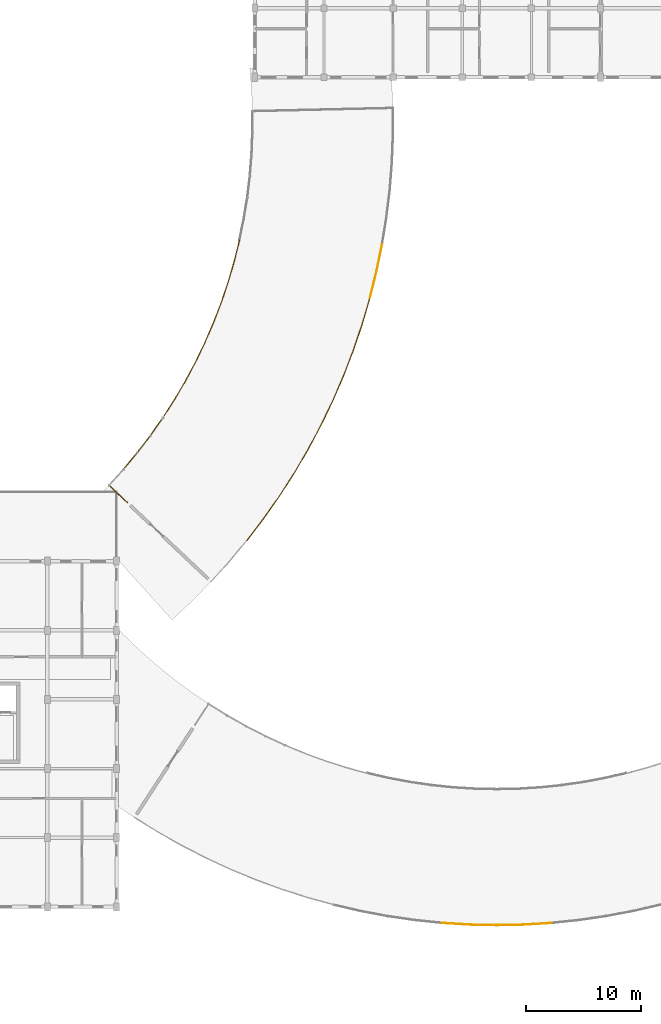
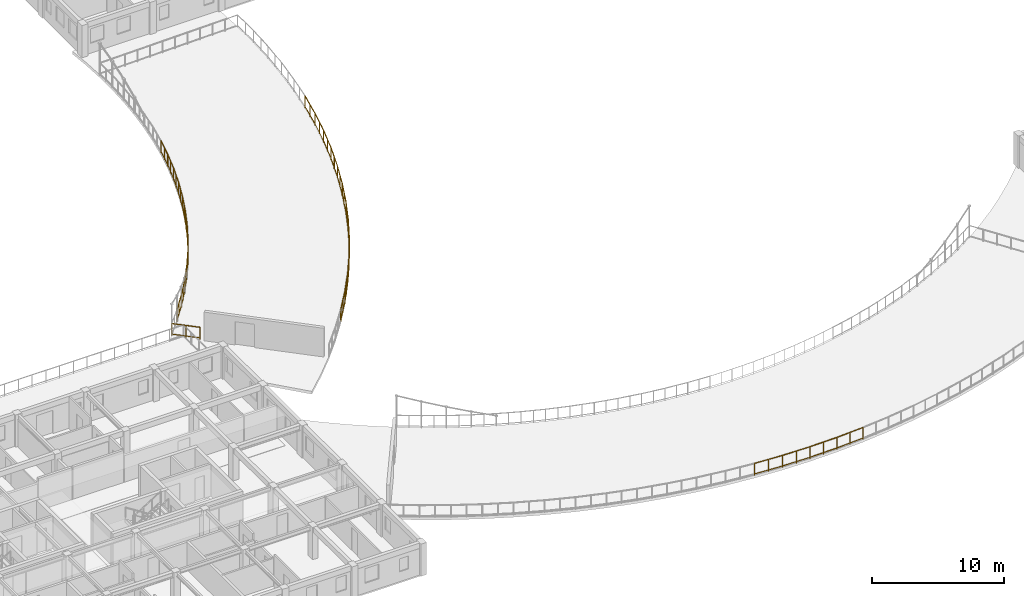
# One storey, part 51 of 58: 29 railings.
"""IFC4 building model written with IfcOpenShell, lengths in metres."""

from ifc_helpers import new_model, si_unit, direction, frame, origin, origin_2d, place, context, subcontext, project, spatial, circle, extrude, material, layer, layer_set, type_object, element, save


model = new_model("IFC4")

# Units and contexts
model_context = context("Model", 3, precision=1e-05, world=origin(), true_north=direction((0.0, 1.0)))
body_context = subcontext(model_context, "Body", "Model", "MODEL_VIEW")
ifc_project = project(units=[si_unit("LENGTHUNIT", "METRE"), si_unit("AREAUNIT", "SQUARE_METRE"), si_unit("VOLUMEUNIT", "CUBIC_METRE"), si_unit("PLANEANGLEUNIT", "RADIAN"), si_unit("MASSUNIT", "GRAM", prefix="KILO"), si_unit("POWERUNIT", "WATT"), si_unit("THERMODYNAMICTEMPERATUREUNIT", "KELVIN")], contexts=[model_context])

# Site, building, storey
site_placement = place(None, origin())
site = spatial("IfcSite", under=ifc_project, at=site_placement, CompositionType="ELEMENT")
building_placement = place(site_placement, origin())
building = spatial("IfcBuilding", under=site, at=building_placement, Name="Ruvembo Vaulted Housing Court", CompositionType="ELEMENT")
storey_placement = place(building_placement, frame((0.0, 0.0, 20.5)))
storey = spatial("IfcBuildingStorey", under=building, at=storey_placement, Name="L06", CompositionType="ELEMENT", Elevation=20.5)

# Railings
ifc_material = material(Name="Galvanised Painted Steel and Laminated Glass", Category="steel")
ifc_layer = layer(ifc_material, 0.070068359375, Name="Galvanised Painted Steel and Laminated Glass")
ifc_layer_set = layer_set([ifc_layer], Name="Galvanised Painted Steel and Laminated Glass")
railing_type = type_object("IfcRailingType", Name="RL-BALUST-1120", PredefinedType="BALUSTRADE", material=ifc_layer_set)
railing_1_placement = place(storey_placement, frame((36.9306640625, 41.078125, 0.0)))
element("IfcRailing", 1, at=railing_1_placement, inside=storey, type_object=railing_type, Name="L06 Perimeter Guard RL-EXT-L06-0196", PredefinedType="BALUSTRADE", context=body_context, shape_type="SweptSolid", body=[
    extrude(circle(Radius=0.02392578125, at=origin_2d()), frame((0.0, 0.0, 1.09619140625), z_axis=(-0.727769798271, 0.685821493338, 0.0), x_axis=(-0.685821493338, -0.727769798271, 0.0)), (0.0, 0.0, 1.0), 2.199951171875),
    extrude(circle(Radius=0.01806640625, at=origin_2d()), frame((0.0, 0.0, 0.1201171875), z_axis=(-0.727769798271, 0.685821493338, 0.0), x_axis=(-0.685821493338, -0.727769798271, 0.0)), (0.0, 0.0, 1.0), 2.199951171875),
    extrude(circle(Radius=0.02099609375, at=origin_2d()), origin(), (0.0, 0.0, 1.0), 1.072021484375),
    extrude(circle(Radius=0.02099609375, at=origin_2d()), frame((-0.800537109375, 0.75439453125, 0.0)), (0.0, 0.0, 1.0), 1.072021484375),
    extrude(circle(Radius=0.02099609375, at=origin_2d()), frame((-1.60107421875, 1.5087890625, 0.0)), (0.0, 0.0, 1.0), 1.072021484375),
])
railing_2_placement = place(storey_placement, frame((36.58837890625, 43.978759765625, 0.0)))
element("IfcRailing", 2, at=railing_2_placement, inside=storey, type_object=railing_type, Name="L06 Perimeter Guard RL-EXT-L06-0198", PredefinedType="BALUSTRADE", context=body_context, shape_type="SweptSolid", body=[
    extrude(circle(Radius=0.02392578125, at=origin_2d()), frame((0.0, 0.0, 1.09619140625), z_axis=(0.639915648776, 0.76844515904, 0.0), x_axis=(-0.76844515904, 0.639915648776, 0.0)), (0.0, 0.0, 1.0), 1.876708984375),
    extrude(circle(Radius=0.01806640625, at=origin_2d()), frame((0.0, 0.0, 0.1201171875), z_axis=(0.639915648776, 0.76844515904, 0.0), x_axis=(-0.76844515904, 0.639915648776, 0.0)), (0.0, 0.0, 1.0), 1.876708984375),
    extrude(circle(Radius=0.02099609375, at=origin_2d()), origin(), (0.0, 0.0, 1.0), 1.072021484375),
    extrude(circle(Radius=0.02099609375, at=origin_2d()), frame((0.6005859375, 0.72119140625, 0.0)), (0.0, 0.0, 1.0), 1.072021484375),
    extrude(circle(Radius=0.02099609375, at=origin_2d()), frame((1.200927734375, 1.442138671875, 0.0)), (0.0, 0.0, 1.0), 1.072021484375),
])
railing_3_placement = place(storey_placement, frame((37.789306640625, 45.4208984375, 0.0)))
element("IfcRailing", 3, at=railing_3_placement, inside=storey, type_object=railing_type, Name="L06 Perimeter Guard RL-EXT-L06-0199", PredefinedType="BALUSTRADE", context=body_context, shape_type="SweptSolid", body=[
    extrude(circle(Radius=0.02392578125, at=origin_2d()), frame((0.0, 0.0, 1.09619140625), z_axis=(0.607860517304, 0.794043822155, 0.0), x_axis=(-0.794043822155, 0.607860517304, 0.0)), (0.0, 0.0, 1.0), 1.87646484375),
    extrude(circle(Radius=0.01806640625, at=origin_2d()), frame((0.0, 0.0, 0.1201171875), z_axis=(0.607860517304, 0.794043822155, 0.0), x_axis=(-0.794043822155, 0.607860517304, 0.0)), (0.0, 0.0, 1.0), 1.87646484375),
    extrude(circle(Radius=0.02099609375, at=origin_2d()), origin(), (0.0, 0.0, 1.0), 1.072021484375),
    extrude(circle(Radius=0.02099609375, at=origin_2d()), frame((0.5703125, 0.7451171875, 0.0)), (0.0, 0.0, 1.0), 1.072021484375),
    extrude(circle(Radius=0.02099609375, at=origin_2d()), frame((1.140625, 1.489990234375, 0.0)), (0.0, 0.0, 1.0), 1.072021484375),
])
railing_4_placement = place(storey_placement, frame((38.929931640625, 46.910888671875, 0.0)))
element("IfcRailing", 4, at=railing_4_placement, inside=storey, type_object=railing_type, Name="L06 Perimeter Guard RL-EXT-L06-0200", PredefinedType="BALUSTRADE", context=body_context, shape_type="SweptSolid", body=[
    extrude(circle(Radius=0.02392578125, at=origin_2d()), frame((0.0, 0.0, 1.09619140625), z_axis=(0.574858427718, 0.81825288761, 0.0), x_axis=(-0.81825288761, 0.574858427718, 0.0)), (0.0, 0.0, 1.0), 1.876708984375),
    extrude(circle(Radius=0.01806640625, at=origin_2d()), frame((0.0, 0.0, 0.1201171875), z_axis=(0.574858427718, 0.81825288761, 0.0), x_axis=(-0.81825288761, 0.574858427718, 0.0)), (0.0, 0.0, 1.0), 1.876708984375),
    extrude(circle(Radius=0.02099609375, at=origin_2d()), origin(), (0.0, 0.0, 1.0), 1.072021484375),
    extrude(circle(Radius=0.02099609375, at=origin_2d()), frame((0.53955078125, 0.767822265625, 0.0)), (0.0, 0.0, 1.0), 1.072021484375),
    extrude(circle(Radius=0.02099609375, at=origin_2d()), frame((1.078857421875, 1.53564453125, 0.0)), (0.0, 0.0, 1.0), 1.072021484375),
])
railing_5_placement = place(storey_placement, frame((40.0087890625, 48.446533203125, 0.0)))
element("IfcRailing", 5, at=railing_5_placement, inside=storey, type_object=railing_type, Name="L06 Perimeter Guard RL-EXT-L06-0201", PredefinedType="BALUSTRADE", context=body_context, shape_type="SweptSolid", body=[
    extrude(circle(Radius=0.02392578125, at=origin_2d()), frame((0.0, 0.0, 1.09619140625), z_axis=(0.540783890821, 0.841161567969, 0.0), x_axis=(-0.841161567969, 0.540783890821, 0.0)), (0.0, 0.0, 1.0), 1.876708984375),
    extrude(circle(Radius=0.01806640625, at=origin_2d()), frame((0.0, 0.0, 0.1201171875), z_axis=(0.540783890821, 0.841161567969, 0.0), x_axis=(-0.841161567969, 0.540783890821, 0.0)), (0.0, 0.0, 1.0), 1.876708984375),
    extrude(circle(Radius=0.02099609375, at=origin_2d()), origin(), (0.0, 0.0, 1.0), 1.072021484375),
    extrude(circle(Radius=0.02099609375, at=origin_2d()), frame((0.50732421875, 0.789306640625, 0.0)), (0.0, 0.0, 1.0), 1.072021484375),
    extrude(circle(Radius=0.02099609375, at=origin_2d()), frame((1.014892578125, 1.57861328125, 0.0)), (0.0, 0.0, 1.0), 1.072021484375),
])
railing_6_placement = place(storey_placement, frame((41.023681640625, 50.025146484375, 0.0)))
element("IfcRailing", 6, at=railing_6_placement, inside=storey, type_object=railing_type, Name="L06 Perimeter Guard RL-EXT-L06-0202", PredefinedType="BALUSTRADE", context=body_context, shape_type="SweptSolid", body=[
    extrude(circle(Radius=0.02392578125, at=origin_2d()), frame((0.0, 0.0, 1.09619140625), z_axis=(0.505859733288, 0.862615748893, 0.0), x_axis=(-0.862615748893, 0.505859733288, 0.0)), (0.0, 0.0, 1.0), 1.87646484375),
    extrude(circle(Radius=0.01806640625, at=origin_2d()), frame((0.0, 0.0, 0.1201171875), z_axis=(0.505859733288, 0.862615748893, 0.0), x_axis=(-0.862615748893, 0.505859733288, 0.0)), (0.0, 0.0, 1.0), 1.87646484375),
    extrude(circle(Radius=0.02099609375, at=origin_2d()), origin(), (0.0, 0.0, 1.0), 1.072021484375),
    extrude(circle(Radius=0.02099609375, at=origin_2d()), frame((0.474609375, 0.809326171875, 0.0)), (0.0, 0.0, 1.0), 1.072021484375),
    extrude(circle(Radius=0.02099609375, at=origin_2d()), frame((0.94921875, 1.61865234375, 0.0)), (0.0, 0.0, 1.0), 1.072021484375),
])
railing_7_placement = place(storey_placement, frame((41.972900390625, 51.643798828125, 0.0)))
element("IfcRailing", 7, at=railing_7_placement, inside=storey, type_object=railing_type, Name="L06 Perimeter Guard RL-EXT-L06-0203", PredefinedType="BALUSTRADE", context=body_context, shape_type="SweptSolid", body=[
    extrude(circle(Radius=0.02392578125, at=origin_2d()), frame((0.0, 0.0, 1.09619140625), z_axis=(0.470115552325, 0.882604876183, 0.0), x_axis=(-0.882604876183, 0.470115552325, 0.0)), (0.0, 0.0, 1.0), 1.876708984375),
    extrude(circle(Radius=0.01806640625, at=origin_2d()), frame((0.0, 0.0, 0.1201171875), z_axis=(0.470115552325, 0.882604876183, 0.0), x_axis=(-0.882604876183, 0.470115552325, 0.0)), (0.0, 0.0, 1.0), 1.876708984375),
    extrude(circle(Radius=0.02099609375, at=origin_2d()), origin(), (0.0, 0.0, 1.0), 1.072021484375),
    extrude(circle(Radius=0.02099609375, at=origin_2d()), frame((0.441162109375, 0.828125, 0.0)), (0.0, 0.0, 1.0), 1.072021484375),
    extrude(circle(Radius=0.02099609375, at=origin_2d()), frame((0.88232421875, 1.656494140625, 0.0)), (0.0, 0.0, 1.0), 1.072021484375),
])
railing_8_placement = place(storey_placement, frame((42.855224609375, 53.30029296875, 0.0)))
element("IfcRailing", 8, at=railing_8_placement, inside=storey, type_object=railing_type, Name="L06 Perimeter Guard RL-EXT-L06-0204", PredefinedType="BALUSTRADE", context=body_context, shape_type="SweptSolid", body=[
    extrude(circle(Radius=0.02392578125, at=origin_2d()), frame((0.0, 0.0, 1.09619140625), z_axis=(0.433631756601, 0.901090172883, 0.0), x_axis=(-0.901090172883, 0.433631756601, 0.0)), (0.0, 0.0, 1.0), 1.87646484375),
    extrude(circle(Radius=0.01806640625, at=origin_2d()), frame((0.0, 0.0, 0.1201171875), z_axis=(0.433631756601, 0.901090172883, 0.0), x_axis=(-0.901090172883, 0.433631756601, 0.0)), (0.0, 0.0, 1.0), 1.87646484375),
    extrude(circle(Radius=0.02099609375, at=origin_2d()), origin(), (0.0, 0.0, 1.0), 1.072021484375),
    extrude(circle(Radius=0.02099609375, at=origin_2d()), frame((0.40673828125, 0.845458984375, 0.0)), (0.0, 0.0, 1.0), 1.072021484375),
    extrude(circle(Radius=0.02099609375, at=origin_2d()), frame((0.813720703125, 1.69091796875, 0.0)), (0.0, 0.0, 1.0), 1.072021484375),
])
railing_9_placement = place(storey_placement, frame((43.6689453125, 54.9912109375, 0.0)))
element("IfcRailing", 9, at=railing_9_placement, inside=storey, type_object=railing_type, Name="L06 Perimeter Guard RL-EXT-L06-0205", PredefinedType="BALUSTRADE", context=body_context, shape_type="SweptSolid", body=[
    extrude(circle(Radius=0.02392578125, at=origin_2d()), frame((0.0, 0.0, 1.09619140625), z_axis=(0.396288974503, 0.918125834887, 0.0), x_axis=(-0.918125834887, 0.396288974503, 0.0)), (0.0, 0.0, 1.0), 1.87646484375),
    extrude(circle(Radius=0.01806640625, at=origin_2d()), frame((0.0, 0.0, 0.1201171875), z_axis=(0.396288974503, 0.918125834887, 0.0), x_axis=(-0.918125834887, 0.396288974503, 0.0)), (0.0, 0.0, 1.0), 1.87646484375),
    extrude(circle(Radius=0.02099609375, at=origin_2d()), origin(), (0.0, 0.0, 1.0), 1.072021484375),
    extrude(circle(Radius=0.02099609375, at=origin_2d()), frame((0.371826171875, 0.861328125, 0.0)), (0.0, 0.0, 1.0), 1.072021484375),
    extrude(circle(Radius=0.02099609375, at=origin_2d()), frame((0.74365234375, 1.722900390625, 0.0)), (0.0, 0.0, 1.0), 1.072021484375),
])
railing_10_placement = place(storey_placement, frame((44.41259765625, 56.714111328125, 0.0)))
element("IfcRailing", 10, at=railing_10_placement, inside=storey, type_object=railing_type, Name="L06 Perimeter Guard RL-EXT-L06-0206", PredefinedType="BALUSTRADE", context=body_context, shape_type="SweptSolid", body=[
    extrude(circle(Radius=0.02392578125, at=origin_2d()), frame((0.0, 0.0, 1.09619140625), z_axis=(0.358368836189, 0.933580086146, 0.0), x_axis=(-0.933580086146, 0.358368836189, 0.0)), (0.0, 0.0, 1.0), 1.876953125),
    extrude(circle(Radius=0.01806640625, at=origin_2d()), frame((0.0, 0.0, 0.1201171875), z_axis=(0.358368836189, 0.933580086146, 0.0), x_axis=(-0.933580086146, 0.358368836189, 0.0)), (0.0, 0.0, 1.0), 1.876953125),
    extrude(circle(Radius=0.02099609375, at=origin_2d()), origin(), (0.0, 0.0, 1.0), 1.072021484375),
    extrude(circle(Radius=0.02099609375, at=origin_2d()), frame((0.33642578125, 0.8759765625, 0.0)), (0.0, 0.0, 1.0), 1.072021484375),
    extrude(circle(Radius=0.02099609375, at=origin_2d()), frame((0.672607421875, 1.752197265625, 0.0)), (0.0, 0.0, 1.0), 1.072021484375),
])
railing_11_placement = place(storey_placement, frame((45.085205078125, 58.46630859375, 0.0)))
element("IfcRailing", 11, at=railing_11_placement, inside=storey, type_object=railing_type, Name="L06 Perimeter Guard RL-EXT-L06-0207", PredefinedType="BALUSTRADE", context=body_context, shape_type="SweptSolid", body=[
    extrude(circle(Radius=0.02392578125, at=origin_2d()), frame((0.0, 0.0, 1.09619140625), z_axis=(0.319933403304, 0.947440033696, 0.0), x_axis=(-0.947440033696, 0.319933403304, 0.0)), (0.0, 0.0, 1.0), 1.87646484375),
    extrude(circle(Radius=0.01806640625, at=origin_2d()), frame((0.0, 0.0, 0.1201171875), z_axis=(0.319933403304, 0.947440033696, 0.0), x_axis=(-0.947440033696, 0.319933403304, 0.0)), (0.0, 0.0, 1.0), 1.87646484375),
    extrude(circle(Radius=0.02099609375, at=origin_2d()), origin(), (0.0, 0.0, 1.0), 1.072021484375),
    extrude(circle(Radius=0.02099609375, at=origin_2d()), frame((0.30029296875, 0.888916015625, 0.0)), (0.0, 0.0, 1.0), 1.072021484375),
    extrude(circle(Radius=0.02099609375, at=origin_2d()), frame((0.600341796875, 1.77783203125, 0.0)), (0.0, 0.0, 1.0), 1.072021484375),
])
railing_12_placement = place(storey_placement, frame((45.685546875, 60.244140625, 0.0)))
element("IfcRailing", 12, at=railing_12_placement, inside=storey, type_object=railing_type, Name="L06 Perimeter Guard RL-EXT-L06-0208", PredefinedType="BALUSTRADE", context=body_context, shape_type="SweptSolid", body=[
    extrude(circle(Radius=0.02392578125, at=origin_2d()), frame((0.0, 0.0, 1.09619140625), z_axis=(0.280729242843, 0.959787003565, 0.0), x_axis=(-0.959787003565, 0.280729242843, 0.0)), (0.0, 0.0, 1.0), 1.876708984375),
    extrude(circle(Radius=0.01806640625, at=origin_2d()), frame((0.0, 0.0, 0.1201171875), z_axis=(0.280729242843, 0.959787003565, 0.0), x_axis=(-0.959787003565, 0.280729242843, 0.0)), (0.0, 0.0, 1.0), 1.876708984375),
    extrude(circle(Radius=0.02099609375, at=origin_2d()), origin(), (0.0, 0.0, 1.0), 1.072021484375),
    extrude(circle(Radius=0.02099609375, at=origin_2d()), frame((0.263427734375, 0.900634765625, 0.0)), (0.0, 0.0, 1.0), 1.072021484375),
    extrude(circle(Radius=0.02099609375, at=origin_2d()), frame((0.52685546875, 1.80126953125, 0.0)), (0.0, 0.0, 1.0), 1.072021484375),
])
railing_13_placement = place(storey_placement, frame((46.21240234375, 62.04541015625, 0.0)))
element("IfcRailing", 13, at=railing_13_placement, inside=storey, type_object=railing_type, Name="L06 Perimeter Guard RL-EXT-L06-0209", PredefinedType="BALUSTRADE", context=body_context, shape_type="SweptSolid", body=[
    extrude(circle(Radius=0.02392578125, at=origin_2d()), frame((0.0, 0.0, 1.09619140625), z_axis=(0.241066038615, 0.970508714555, 0.0), x_axis=(-0.970508714555, 0.241066038615, 0.0)), (0.0, 0.0, 1.0), 1.876708984375),
    extrude(circle(Radius=0.01806640625, at=origin_2d()), frame((0.0, 0.0, 0.1201171875), z_axis=(0.241066038615, 0.970508714555, 0.0), x_axis=(-0.970508714555, 0.241066038615, 0.0)), (0.0, 0.0, 1.0), 1.876708984375),
    extrude(circle(Radius=0.02099609375, at=origin_2d()), origin(), (0.0, 0.0, 1.0), 1.072021484375),
    extrude(circle(Radius=0.02099609375, at=origin_2d()), frame((0.22607421875, 0.91064453125, 0.0)), (0.0, 0.0, 1.0), 1.072021484375),
    extrude(circle(Radius=0.02099609375, at=origin_2d()), frame((0.452392578125, 1.8212890625, 0.0)), (0.0, 0.0, 1.0), 1.072021484375),
])
railing_14_placement = place(storey_placement, frame((59.040771484375, 63.495361328125, 0.0)))
element("IfcRailing", 14, at=railing_14_placement, inside=storey, type_object=railing_type, Name="L06 Perimeter Guard RL-EXT-L06-0222", PredefinedType="BALUSTRADE", context=body_context, shape_type="SweptSolid", body=[
    extrude(circle(Radius=0.02392578125, at=origin_2d()), frame((0.0, 0.0, 1.09619140625), z_axis=(-0.20124999355, -0.979539912457, 0.0), x_axis=(0.979539912457, -0.20124999355, 0.0)), (0.0, 0.0, 1.0), 2.37646484375),
    extrude(circle(Radius=0.01806640625, at=origin_2d()), frame((0.0, 0.0, 0.1201171875), z_axis=(-0.20124999355, -0.979539912457, 0.0), x_axis=(0.979539912457, -0.20124999355, 0.0)), (0.0, 0.0, 1.0), 2.37646484375),
    extrude(circle(Radius=0.02099609375, at=origin_2d()), origin(), (0.0, 0.0, 1.0), 1.072021484375),
    extrude(circle(Radius=0.02099609375, at=origin_2d()), frame((-0.2392578125, -1.1640625, 0.0)), (0.0, 0.0, 1.0), 1.072021484375),
    extrude(circle(Radius=0.02099609375, at=origin_2d()), frame((-0.478271484375, -2.327880859375, 0.0)), (0.0, 0.0, 1.0), 1.072021484375),
])
railing_15_placement = place(storey_placement, frame((58.5625, 61.16748046875, 0.0)))
element("IfcRailing", 15, at=railing_15_placement, inside=storey, type_object=railing_type, Name="L06 Perimeter Guard RL-EXT-L06-0223", PredefinedType="BALUSTRADE", context=body_context, shape_type="SweptSolid", body=[
    extrude(circle(Radius=0.02392578125, at=origin_2d()), frame((0.0, 0.0, 1.09619140625), z_axis=(-0.241109217575, -0.970497988252, 0.0), x_axis=(0.970497988252, -0.241109217575, 0.0)), (0.0, 0.0, 1.0), 2.37646484375),
    extrude(circle(Radius=0.01806640625, at=origin_2d()), frame((0.0, 0.0, 0.1201171875), z_axis=(-0.241109217575, -0.970497988252, 0.0), x_axis=(0.970497988252, -0.241109217575, 0.0)), (0.0, 0.0, 1.0), 2.37646484375),
    extrude(circle(Radius=0.02099609375, at=origin_2d()), origin(), (0.0, 0.0, 1.0), 1.072021484375),
    extrude(circle(Radius=0.02099609375, at=origin_2d()), frame((-0.28662109375, -1.1533203125, 0.0)), (0.0, 0.0, 1.0), 1.072021484375),
    extrude(circle(Radius=0.02099609375, at=origin_2d()), frame((-0.572998046875, -2.306396484375, 0.0)), (0.0, 0.0, 1.0), 1.072021484375),
])
railing_16_placement = place(storey_placement, frame((57.989501953125, 58.861083984375, 0.0)))
element("IfcRailing", 16, at=railing_16_placement, inside=storey, type_object=railing_type, Name="L06 Perimeter Guard RL-EXT-L06-0224", PredefinedType="BALUSTRADE", context=body_context, shape_type="SweptSolid", body=[
    extrude(circle(Radius=0.02392578125, at=origin_2d()), frame((0.0, 0.0, 1.09619140625), z_axis=(-0.280753355921, -0.959779950374, 0.0), x_axis=(0.959779950374, -0.280753355921, 0.0)), (0.0, 0.0, 1.0), 2.376708984375),
    extrude(circle(Radius=0.01806640625, at=origin_2d()), frame((0.0, 0.0, 0.1201171875), z_axis=(-0.280753355921, -0.959779950374, 0.0), x_axis=(0.959779950374, -0.280753355921, 0.0)), (0.0, 0.0, 1.0), 2.376708984375),
    extrude(circle(Radius=0.02099609375, at=origin_2d()), origin(), (0.0, 0.0, 1.0), 1.072021484375),
    extrude(circle(Radius=0.02099609375, at=origin_2d()), frame((-0.33349609375, -1.140625, 0.0)), (0.0, 0.0, 1.0), 1.072021484375),
    extrude(circle(Radius=0.02099609375, at=origin_2d()), frame((-0.667236328125, -2.281005859375, 0.0)), (0.0, 0.0, 1.0), 1.072021484375),
])
railing_17_placement = place(storey_placement, frame((57.322265625, 56.580078125, 0.0)))
element("IfcRailing", 17, at=railing_17_placement, inside=storey, type_object=railing_type, Name="L06 Perimeter Guard RL-EXT-L06-0225", PredefinedType="BALUSTRADE", context=body_context, shape_type="SweptSolid", body=[
    extrude(circle(Radius=0.02392578125, at=origin_2d()), frame((0.0, 0.0, 1.09619140625), z_axis=(-0.319892767256, -0.947453754786, 0.0), x_axis=(0.947453754786, -0.319892767256, 0.0)), (0.0, 0.0, 1.0), 2.376708984375),
    extrude(circle(Radius=0.01806640625, at=origin_2d()), frame((0.0, 0.0, 0.1201171875), z_axis=(-0.319892767256, -0.947453754786, 0.0), x_axis=(0.947453754786, -0.319892767256, 0.0)), (0.0, 0.0, 1.0), 2.376708984375),
    extrude(circle(Radius=0.02099609375, at=origin_2d()), origin(), (0.0, 0.0, 1.0), 1.072021484375),
    extrude(circle(Radius=0.02099609375, at=origin_2d()), frame((-0.380126953125, -1.1259765625, 0.0)), (0.0, 0.0, 1.0), 1.072021484375),
    extrude(circle(Radius=0.02099609375, at=origin_2d()), frame((-0.76025390625, -2.251708984375, 0.0)), (0.0, 0.0, 1.0), 1.072021484375),
])
railing_18_placement = place(storey_placement, frame((56.56201171875, 54.328369140625, 0.0)))
element("IfcRailing", 18, at=railing_18_placement, inside=storey, type_object=railing_type, Name="L06 Perimeter Guard RL-EXT-L06-0226", PredefinedType="BALUSTRADE", context=body_context, shape_type="SweptSolid", body=[
    extrude(circle(Radius=0.02392578125, at=origin_2d()), frame((0.0, 0.0, 1.09619140625), z_axis=(-0.358318135863, -0.933599546653, 0.0), x_axis=(0.933599546653, -0.358318135863, 0.0)), (0.0, 0.0, 1.0), 2.37646484375),
    extrude(circle(Radius=0.01806640625, at=origin_2d()), frame((0.0, 0.0, 0.1201171875), z_axis=(-0.358318135863, -0.933599546653, 0.0), x_axis=(0.933599546653, -0.358318135863, 0.0)), (0.0, 0.0, 1.0), 2.37646484375),
    extrude(circle(Radius=0.02099609375, at=origin_2d()), origin(), (0.0, 0.0, 1.0), 1.072021484375),
    extrude(circle(Radius=0.02099609375, at=origin_2d()), frame((-0.42578125, -1.109375, 0.0)), (0.0, 0.0, 1.0), 1.072021484375),
    extrude(circle(Radius=0.02099609375, at=origin_2d()), frame((-0.8515625, -2.21875, 0.0)), (0.0, 0.0, 1.0), 1.072021484375),
])
railing_19_placement = place(storey_placement, frame((55.71044921875, 52.109619140625, 0.0)))
element("IfcRailing", 19, at=railing_19_placement, inside=storey, type_object=railing_type, Name="L06 Perimeter Guard RL-EXT-L06-0227", PredefinedType="BALUSTRADE", context=body_context, shape_type="SweptSolid", body=[
    extrude(circle(Radius=0.02392578125, at=origin_2d()), frame((0.0, 0.0, 1.09619140625), z_axis=(-0.39633565344, -0.918105685535, 0.0), x_axis=(0.918105685535, -0.39633565344, 0.0)), (0.0, 0.0, 1.0), 2.37646484375),
    extrude(circle(Radius=0.01806640625, at=origin_2d()), frame((0.0, 0.0, 0.1201171875), z_axis=(-0.39633565344, -0.918105685535, 0.0), x_axis=(0.918105685535, -0.39633565344, 0.0)), (0.0, 0.0, 1.0), 2.37646484375),
    extrude(circle(Radius=0.02099609375, at=origin_2d()), origin(), (0.0, 0.0, 1.0), 1.072021484375),
    extrude(circle(Radius=0.02099609375, at=origin_2d()), frame((-0.470947265625, -1.0908203125, 0.0)), (0.0, 0.0, 1.0), 1.072021484375),
    extrude(circle(Radius=0.02099609375, at=origin_2d()), frame((-0.94189453125, -2.181884765625, 0.0)), (0.0, 0.0, 1.0), 1.072021484375),
])
railing_20_placement = place(storey_placement, frame((54.7685546875, 49.927734375, 0.0)))
element("IfcRailing", 20, at=railing_20_placement, inside=storey, type_object=railing_type, Name="L06 Perimeter Guard RL-EXT-L06-0228", PredefinedType="BALUSTRADE", context=body_context, shape_type="SweptSolid", body=[
    extrude(circle(Radius=0.02392578125, at=origin_2d()), frame((0.0, 0.0, 1.09619140625), z_axis=(-0.43355921097, -0.901125080432, 0.0), x_axis=(0.901125080432, -0.43355921097, 0.0)), (0.0, 0.0, 1.0), 2.376220703125),
    extrude(circle(Radius=0.01806640625, at=origin_2d()), frame((0.0, 0.0, 0.1201171875), z_axis=(-0.43355921097, -0.901125080432, 0.0), x_axis=(0.901125080432, -0.43355921097, 0.0)), (0.0, 0.0, 1.0), 2.376220703125),
    extrude(circle(Radius=0.02099609375, at=origin_2d()), origin(), (0.0, 0.0, 1.0), 1.072021484375),
    extrude(circle(Radius=0.02099609375, at=origin_2d()), frame((-0.51513671875, -1.07080078125, 0.0)), (0.0, 0.0, 1.0), 1.072021484375),
    extrude(circle(Radius=0.02099609375, at=origin_2d()), frame((-1.0302734375, -2.141357421875, 0.0)), (0.0, 0.0, 1.0), 1.072021484375),
])
railing_21_placement = place(storey_placement, frame((53.73828125, 47.786376953125, 0.0)))
element("IfcRailing", 21, at=railing_21_placement, inside=storey, type_object=railing_type, Name="L06 Perimeter Guard RL-EXT-L06-0229", PredefinedType="BALUSTRADE", context=body_context, shape_type="SweptSolid", body=[
    extrude(circle(Radius=0.02392578125, at=origin_2d()), frame((0.0, 0.0, 1.09619140625), z_axis=(-0.470156322089, -0.882583159141, 0.0), x_axis=(0.882583159141, -0.470156322089, 0.0)), (0.0, 0.0, 1.0), 2.376708984375),
    extrude(circle(Radius=0.01806640625, at=origin_2d()), frame((0.0, 0.0, 0.1201171875), z_axis=(-0.470156322089, -0.882583159141, 0.0), x_axis=(0.882583159141, -0.470156322089, 0.0)), (0.0, 0.0, 1.0), 2.376708984375),
    extrude(circle(Radius=0.02099609375, at=origin_2d()), origin(), (0.0, 0.0, 1.0), 1.072021484375),
    extrude(circle(Radius=0.02099609375, at=origin_2d()), frame((-0.55859375, -1.048828125, 0.0)), (0.0, 0.0, 1.0), 1.072021484375),
    extrude(circle(Radius=0.02099609375, at=origin_2d()), frame((-1.117431640625, -2.09765625, 0.0)), (0.0, 0.0, 1.0), 1.072021484375),
])
railing_22_placement = place(storey_placement, frame((52.620849609375, 45.688720703125, 0.0)))
element("IfcRailing", 22, at=railing_22_placement, inside=storey, type_object=railing_type, Name="L06 Perimeter Guard RL-EXT-L06-0230", PredefinedType="BALUSTRADE", context=body_context, shape_type="SweptSolid", body=[
    extrude(circle(Radius=0.02392578125, at=origin_2d()), frame((0.0, 0.0, 1.09619140625), z_axis=(-0.50588823704, -0.862599032938, 0.0), x_axis=(0.862599032938, -0.50588823704, 0.0)), (0.0, 0.0, 1.0), 2.376220703125),
    extrude(circle(Radius=0.01806640625, at=origin_2d()), frame((0.0, 0.0, 0.1201171875), z_axis=(-0.50588823704, -0.862599032938, 0.0), x_axis=(0.862599032938, -0.50588823704, 0.0)), (0.0, 0.0, 1.0), 2.376220703125),
    extrude(circle(Radius=0.02099609375, at=origin_2d()), origin(), (0.0, 0.0, 1.0), 1.072021484375),
    extrude(circle(Radius=0.02099609375, at=origin_2d()), frame((-0.60107421875, -1.02490234375, 0.0)), (0.0, 0.0, 1.0), 1.072021484375),
    extrude(circle(Radius=0.02099609375, at=origin_2d()), frame((-1.2021484375, -2.0498046875, 0.0)), (0.0, 0.0, 1.0), 1.072021484375),
])
railing_23_placement = place(storey_placement, frame((51.418701171875, 43.638916015625, 0.0)))
element("IfcRailing", 23, at=railing_23_placement, inside=storey, type_object=railing_type, Name="L06 Perimeter Guard RL-EXT-L06-0231", PredefinedType="BALUSTRADE", context=body_context, shape_type="SweptSolid", body=[
    extrude(circle(Radius=0.02392578125, at=origin_2d()), frame((0.0, 0.0, 1.09619140625), z_axis=(-0.540851042444, -0.841118392313, 0.0), x_axis=(0.841118392313, -0.540851042444, 0.0)), (0.0, 0.0, 1.0), 2.376708984375),
    extrude(circle(Radius=0.01806640625, at=origin_2d()), frame((0.0, 0.0, 0.1201171875), z_axis=(-0.540851042444, -0.841118392313, 0.0), x_axis=(0.841118392313, -0.540851042444, 0.0)), (0.0, 0.0, 1.0), 2.376708984375),
    extrude(circle(Radius=0.02099609375, at=origin_2d()), origin(), (0.0, 0.0, 1.0), 1.072021484375),
    extrude(circle(Radius=0.02099609375, at=origin_2d()), frame((-0.642578125, -0.99951171875, 0.0)), (0.0, 0.0, 1.0), 1.072021484375),
    extrude(circle(Radius=0.02099609375, at=origin_2d()), frame((-1.285400390625, -1.9990234375, 0.0)), (0.0, 0.0, 1.0), 1.072021484375),
])
railing_24_placement = place(storey_placement, frame((50.13330078125, 41.639892578125, 0.0)))
element("IfcRailing", 24, at=railing_24_placement, inside=storey, type_object=railing_type, Name="L06 Perimeter Guard RL-EXT-L06-0232", PredefinedType="BALUSTRADE", context=body_context, shape_type="SweptSolid", body=[
    extrude(circle(Radius=0.02392578125, at=origin_2d()), frame((0.0, 0.0, 1.09619140625), z_axis=(-0.574806099322, -0.818289648097, 0.0), x_axis=(0.818289648097, -0.574806099322, 0.0)), (0.0, 0.0, 1.0), 2.37646484375),
    extrude(circle(Radius=0.01806640625, at=origin_2d()), frame((0.0, 0.0, 0.1201171875), z_axis=(-0.574806099322, -0.818289648097, 0.0), x_axis=(0.818289648097, -0.574806099322, 0.0)), (0.0, 0.0, 1.0), 2.37646484375),
    extrude(circle(Radius=0.02099609375, at=origin_2d()), origin(), (0.0, 0.0, 1.0), 1.072021484375),
    extrude(circle(Radius=0.02099609375, at=origin_2d()), frame((-0.68310546875, -0.97216796875, 0.0)), (0.0, 0.0, 1.0), 1.072021484375),
    extrude(circle(Radius=0.02099609375, at=origin_2d()), frame((-1.365966796875, -1.944580078125, 0.0)), (0.0, 0.0, 1.0), 1.072021484375),
])
railing_25_placement = place(storey_placement, frame((48.767333984375, 39.6953125, 0.0)))
element("IfcRailing", 25, at=railing_25_placement, inside=storey, type_object=railing_type, Name="L06 Perimeter Guard RL-EXT-L06-0233", PredefinedType="BALUSTRADE", context=body_context, shape_type="SweptSolid", body=[
    extrude(circle(Radius=0.02392578125, at=origin_2d()), frame((0.0, 0.0, 1.09619140625), z_axis=(-0.607827522011, -0.794069079795, 0.0), x_axis=(0.794069079795, -0.607827522011, 0.0)), (0.0, 0.0, 1.0), 2.376708984375),
    extrude(circle(Radius=0.01806640625, at=origin_2d()), frame((0.0, 0.0, 0.1201171875), z_axis=(-0.607827522011, -0.794069079795, 0.0), x_axis=(0.794069079795, -0.607827522011, 0.0)), (0.0, 0.0, 1.0), 2.376708984375),
    extrude(circle(Radius=0.02099609375, at=origin_2d()), origin(), (0.0, 0.0, 1.0), 1.072021484375),
    extrude(circle(Radius=0.02099609375, at=origin_2d()), frame((-0.72216796875, -0.943603515625, 0.0)), (0.0, 0.0, 1.0), 1.072021484375),
    extrude(circle(Radius=0.02099609375, at=origin_2d()), frame((-1.444580078125, -1.88720703125, 0.0)), (0.0, 0.0, 1.0), 1.072021484375),
])
railing_26_placement = place(storey_placement, frame((73.7470703125, 4.595947265625, 0.0)))
element("IfcRailing", 26, at=railing_26_placement, inside=storey, type_object=railing_type, Name="L06 Perimeter Guard RL-EXT-L06-0538", PredefinedType="BALUSTRADE", context=body_context, shape_type="SweptSolid", body=[
    extrude(circle(Radius=0.02392578125, at=origin_2d()), frame((0.0, 0.0, 1.09619140625), z_axis=(-0.998085223767, -0.061853747654, 0.0), x_axis=(0.061853747654, -0.998085223767, 0.0)), (0.0, 0.0, 1.0), 2.376220703125),
    extrude(circle(Radius=0.01806640625, at=origin_2d()), frame((0.0, 0.0, 0.1201171875), z_axis=(-0.998085223767, -0.061853747654, 0.0), x_axis=(0.061853747654, -0.998085223767, 0.0)), (0.0, 0.0, 1.0), 2.376220703125),
    extrude(circle(Radius=0.02099609375, at=origin_2d()), origin(), (0.0, 0.0, 1.0), 1.072021484375),
    extrude(circle(Radius=0.02099609375, at=origin_2d()), frame((-1.185791015625, -0.073486328125, 0.0)), (0.0, 0.0, 1.0), 1.072021484375),
    extrude(circle(Radius=0.02099609375, at=origin_2d()), frame((-2.37158203125, -0.14697265625, 0.0)), (0.0, 0.0, 1.0), 1.072021484375),
])
railing_27_placement = place(storey_placement, frame((71.37548828125, 4.448974609375, 0.0)))
element("IfcRailing", 27, at=railing_27_placement, inside=storey, type_object=railing_type, Name="L06 Perimeter Guard RL-EXT-L06-0539", PredefinedType="BALUSTRADE", context=body_context, shape_type="SweptSolid", body=[
    extrude(circle(Radius=0.02392578125, at=origin_2d()), frame((0.0, 0.0, 1.09619140625), z_axis=(-0.999786696753, -0.020653353139, 0.0), x_axis=(0.020653353139, -0.999786696753, 0.0)), (0.0, 0.0, 1.0), 2.3759765625),
    extrude(circle(Radius=0.01806640625, at=origin_2d()), frame((0.0, 0.0, 0.1201171875), z_axis=(-0.999786696753, -0.020653353139, 0.0), x_axis=(0.020653353139, -0.999786696753, 0.0)), (0.0, 0.0, 1.0), 2.3759765625),
    extrude(circle(Radius=0.02099609375, at=origin_2d()), origin(), (0.0, 0.0, 1.0), 1.072021484375),
    extrude(circle(Radius=0.02099609375, at=origin_2d()), frame((-1.187744140625, -0.0244140625, 0.0)), (0.0, 0.0, 1.0), 1.072021484375),
    extrude(circle(Radius=0.02099609375, at=origin_2d()), frame((-2.37548828125, -0.049072265625, 0.0)), (0.0, 0.0, 1.0), 1.072021484375),
])
railing_28_placement = place(storey_placement, frame((69.0, 4.39990234375, 0.0)))
element("IfcRailing", 28, at=railing_28_placement, inside=storey, type_object=railing_type, Name="L06 Perimeter Guard RL-EXT-L06-0540", PredefinedType="BALUSTRADE", context=body_context, shape_type="SweptSolid", body=[
    extrude(circle(Radius=0.02392578125, at=origin_2d()), frame((0.0, 0.0, 1.09619140625), z_axis=(-0.999786696753, 0.020653353139, 0.0), x_axis=(-0.020653353139, -0.999786696753, 0.0)), (0.0, 0.0, 1.0), 2.3759765625),
    extrude(circle(Radius=0.01806640625, at=origin_2d()), frame((0.0, 0.0, 0.1201171875), z_axis=(-0.999786696753, 0.020653353139, 0.0), x_axis=(-0.020653353139, -0.999786696753, 0.0)), (0.0, 0.0, 1.0), 2.3759765625),
    extrude(circle(Radius=0.02099609375, at=origin_2d()), origin(), (0.0, 0.0, 1.0), 1.072021484375),
    extrude(circle(Radius=0.02099609375, at=origin_2d()), frame((-1.187744140625, 0.0244140625, 0.0)), (0.0, 0.0, 1.0), 1.072021484375),
    extrude(circle(Radius=0.02099609375, at=origin_2d()), frame((-2.37548828125, 0.049072265625, 0.0)), (0.0, 0.0, 1.0), 1.072021484375),
])
railing_29_placement = place(storey_placement, frame((66.62451171875, 4.448974609375, 0.0)))
element("IfcRailing", 29, at=railing_29_placement, inside=storey, type_object=railing_type, Name="L06 Perimeter Guard RL-EXT-L06-0541", PredefinedType="BALUSTRADE", context=body_context, shape_type="SweptSolid", body=[
    extrude(circle(Radius=0.02392578125, at=origin_2d()), frame((0.0, 0.0, 1.09619140625), z_axis=(-0.998085223767, 0.061853747654, 0.0), x_axis=(-0.061853747654, -0.998085223767, 0.0)), (0.0, 0.0, 1.0), 2.376220703125),
    extrude(circle(Radius=0.01806640625, at=origin_2d()), frame((0.0, 0.0, 0.1201171875), z_axis=(-0.998085223767, 0.061853747654, 0.0), x_axis=(-0.061853747654, -0.998085223767, 0.0)), (0.0, 0.0, 1.0), 2.376220703125),
    extrude(circle(Radius=0.02099609375, at=origin_2d()), origin(), (0.0, 0.0, 1.0), 1.072021484375),
    extrude(circle(Radius=0.02099609375, at=origin_2d()), frame((-1.185791015625, 0.073486328125, 0.0)), (0.0, 0.0, 1.0), 1.072021484375),
    extrude(circle(Radius=0.02099609375, at=origin_2d()), frame((-2.37158203125, 0.14697265625, 0.0)), (0.0, 0.0, 1.0), 1.072021484375),
])

save(model, "model.ifc")
